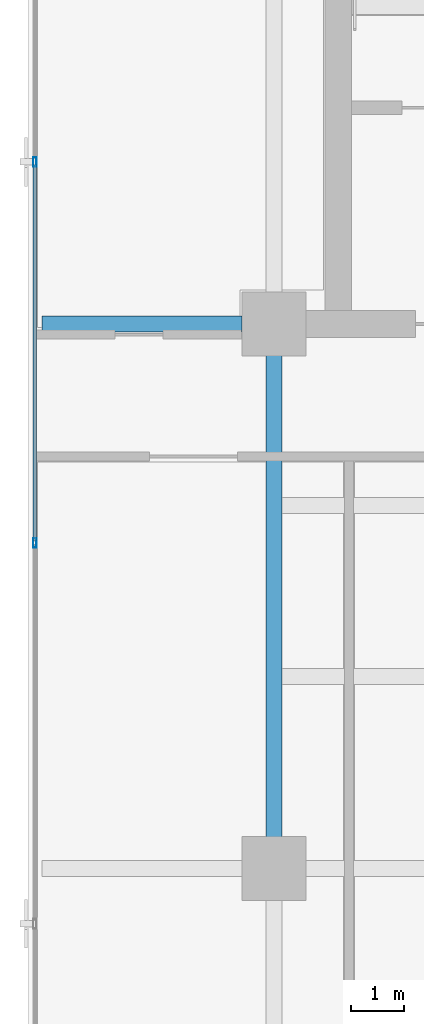
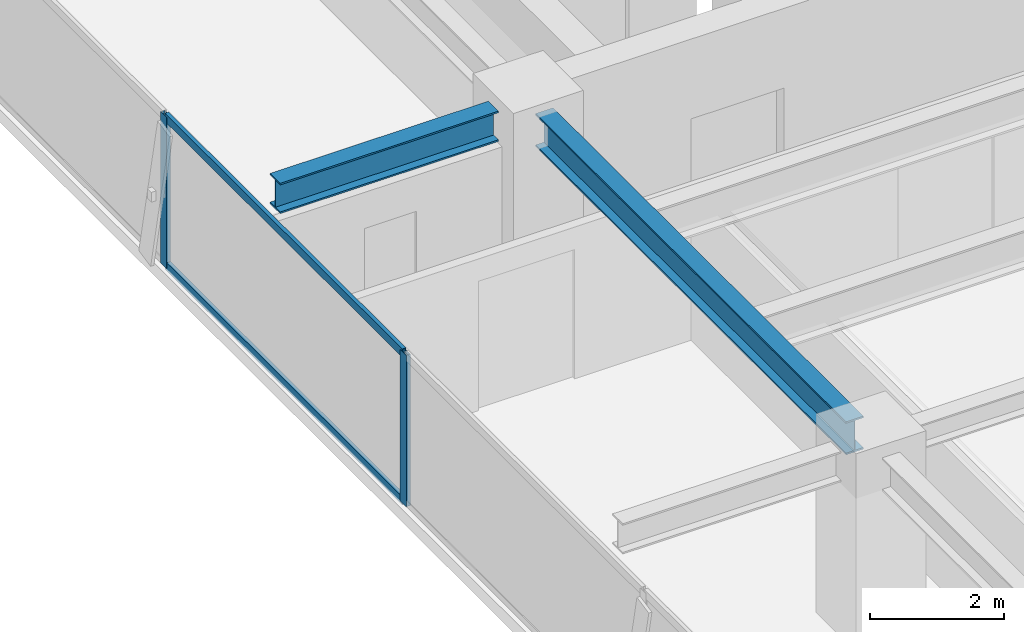
# One storey, part 6 of 22: 4 members, 2 beams, 1 element without a shape of its own.
"""IFC4 building model written with IfcOpenShell, lengths in metres."""

from ifc_helpers import new_model, si_unit, direction, frame, origin, origin_2d, place, context, subcontext, project, spatial, hollow_rectangle, i_section, extrude, source, transform, mapped, material, layer, layer_set, material_profile, profile_set, type_object, element, aggregate, save


model = new_model("IFC4")

# Units and contexts
model_context = context("Model", 3, precision=1e-05, world=origin(), true_north=direction((0.0, 1.0)))
body_context = subcontext(model_context, "Body", "Model", "MODEL_VIEW")
ifc_project = project(units=[si_unit("LENGTHUNIT", "METRE"), si_unit("AREAUNIT", "SQUARE_METRE"), si_unit("VOLUMEUNIT", "CUBIC_METRE"), si_unit("PLANEANGLEUNIT", "RADIAN"), si_unit("MASSUNIT", "GRAM", prefix="KILO")], contexts=[model_context])

# Site, building, storey
site_placement = place(None, origin())
site = spatial("IfcSite", under=ifc_project, at=site_placement, CompositionType="ELEMENT")
building_placement = place(site_placement, origin())
building = spatial("IfcBuilding", under=site, at=building_placement, Name="Sumidabori Civic Tower", CompositionType="ELEMENT")
storey_placement = place(building_placement, frame((0.0, 0.0, 286.39990234375)))
storey = spatial("IfcBuildingStorey", under=building, at=storey_placement, Name="L75", CompositionType="ELEMENT", Elevation=286.39990234375)

# Beams
ifc_material_1 = material(Name="Steel SN490", Category="steel")
ifc_material_profile_1 = material_profile(ifc_material_1, i_section(OverallWidth=0.300048828125, OverallDepth=0.60009765625, WebThickness=0.015380859375, FlangeThickness=0.030029296875, at=origin_2d()), Name="HE 600 B")
ifc_profile_set_1 = profile_set([ifc_material_profile_1], Name="Steel SN490")
beam_type_1 = type_object("IfcBeamType", Name="BM-GIRD-600", PredefinedType="BEAM", material=ifc_profile_set_1)
shared_shape_1 = source(origin(), body_context, "Body", "SweptSolid", [
    extrude(i_section(OverallWidth=0.300048828125, OverallDepth=0.60009765625, WebThickness=0.015380859375, FlangeThickness=0.030029296875, at=origin_2d()), origin(), (0.0, 0.0, 1.0), 9.239990234375),
])
beam_1_placement = place(storey_placement, frame((-16.800048828125, 0.47998046875, 3.070068359375), z_axis=(0.0, 1.0, 0.0), x_axis=(-1.0, 0.0, 0.0)))
element("IfcBeam", 1, at=beam_1_placement, inside=storey, type_object=beam_type_1, Name="Primary Girder L75 GY-10", PredefinedType="BEAM", context=body_context, shape_type="MappedRepresentation", body=[
    mapped(shared_shape_1, transform((0.0, 0.0, 0.0), x_axis=(1.0, 0.0, 0.0), y_axis=(0.0, 1.0, 0.0), z_axis=(0.0, 0.0, 1.0), scale=1.0)),
])
ifc_material_profile_2 = material_profile(ifc_material_1, i_section(OverallWidth=0.300048828125, OverallDepth=0.550048828125, WebThickness=0.014892578125, FlangeThickness=0.029052734375, at=origin_2d()), Name="HE 550 B")
ifc_profile_set_2 = profile_set([ifc_material_profile_2], Name="Steel SN490")
beam_type_2 = type_object("IfcBeamType", Name="BM-Z4-EDGE", PredefinedType="SPANDREL", material=ifc_profile_set_2)
shared_shape_2 = source(origin(), body_context, "Body", "SweptSolid", [
    extrude(i_section(OverallWidth=0.300048828125, OverallDepth=0.550048828125, WebThickness=0.014892578125, FlangeThickness=0.029052734375, at=origin_2d()), origin(), (0.0, 0.0, 1.0), 3.75),
])
beam_2_placement = place(storey_placement, frame((-21.14990234375, 10.199951171875, 3.09521484375), z_axis=(1.0, 0.0, 0.0), x_axis=(0.0, 1.0, 0.0)))
element("IfcBeam", 2, at=beam_2_placement, inside=storey, type_object=beam_type_2, Name="Perimeter Overhang Beam L75 W-21", PredefinedType="SPANDREL", context=body_context, shape_type="MappedRepresentation", body=[
    mapped(shared_shape_2, transform((0.0, 0.0, 0.0), x_axis=(1.0, 0.0, 0.0), y_axis=(0.0, 1.0, 0.0), z_axis=(0.0, 0.0, 1.0), scale=1.0)),
])

# Curtain wall, members
ifc_material_2 = material(Name="Anodised Bronze Aluminium AW-6063-T6", Category="aluminium")
ifc_layer = layer(ifc_material_2, 0.179931640625, Name="Anodised Bronze Aluminium AW-6063-T6")
ifc_layer_set = layer_set([ifc_layer], Name="Anodised Bronze Aluminium AW-6063-T6")
curtain_wall_type = type_object("IfcCurtainWallType", Name="CW-SYS-6", PredefinedType="NOTDEFINED", material=ifc_layer_set)
curtain_wall_placement = place(storey_placement, origin())
curtain_wall = element("IfcCurtainWall", 3, at=curtain_wall_placement, inside=storey, type_object=curtain_wall_type, Name="Curtain Wall CW:L75:R10", PredefinedType="NOTDEFINED")
ifc_material_profile_3 = material_profile(ifc_material_2, hollow_rectangle(XDim=0.070068359375, YDim=0.179931640625, WallThickness=0.006103515625, at=origin_2d()), Name="ALU MULLION 180x70")
ifc_profile_set_3 = profile_set([ifc_material_profile_3], Name="Anodised Bronze Aluminium AW-6063-T6")
member_type_1 = type_object("IfcMemberType", Name="CW-MUL-180", PredefinedType="MULLION", material=ifc_profile_set_3)
shared_shape_3 = source(origin(), body_context, "Body", "SweptSolid", [
    extrude(hollow_rectangle(XDim=0.070068359375, YDim=0.179931640625, WallThickness=0.006103515625, at=origin_2d()), origin(), (0.0, 0.0, 1.0), 2.75),
])
member_1_placement = place(storey_placement, frame((-21.280029296875, 13.235107421875, 0.0), z_axis=(0.0, 0.0, 1.0), x_axis=(1.0, 0.0, 0.0)))
member_1 = element("IfcMember", 4, at=member_1_placement, type_object=member_type_1, Name="CW-6 mullion 2", PredefinedType="MULLION", context=body_context, shape_type="MappedRepresentation", body=[
    mapped(shared_shape_3, transform((0.0, 0.0, 0.0), x_axis=(1.0, 0.0, 0.0), y_axis=(0.0, 1.0, 0.0), z_axis=(0.0, 0.0, 1.0), scale=1.0)),
])
member_2_placement = place(storey_placement, frame((-21.280029296875, 6.10009765625, 0.0), z_axis=(0.0, 0.0, 1.0), x_axis=(1.0, 0.0, 0.0)))
member_2 = element("IfcMember", 5, at=member_2_placement, type_object=member_type_1, Name="CW-6 mullion 3", PredefinedType="MULLION", context=body_context, shape_type="MappedRepresentation", body=[
    mapped(shared_shape_3, transform((0.0, 0.0, 0.0), x_axis=(1.0, 0.0, 0.0), y_axis=(0.0, 1.0, 0.0), z_axis=(0.0, 0.0, 1.0), scale=1.0)),
])
ifc_material_profile_4 = material_profile(ifc_material_2, hollow_rectangle(XDim=0.06494140625, YDim=0.14990234375, WallThickness=0.0048828125, at=origin_2d()), Name="ALU TRANSOM 150x65")
ifc_profile_set_4 = profile_set([ifc_material_profile_4], Name="Anodised Bronze Aluminium AW-6063-T6")
member_type_2 = type_object("IfcMemberType", Name="CW-TRN-150", PredefinedType="USERDEFINED", material=ifc_profile_set_4)
shared_shape_4 = source(origin(), body_context, "Body", "SweptSolid", [
    extrude(hollow_rectangle(XDim=0.06494140625, YDim=0.14990234375, WallThickness=0.0048828125, at=origin_2d()), origin(), (0.0, 0.0, 1.0), 7.06494140625),
])
member_3_placement = place(storey_placement, frame((-21.280029296875, 13.199951171875, 0.03271484375), z_axis=(0.0, -1.0, 0.0), x_axis=(1.0, 0.0, 0.0)))
member_3 = element("IfcMember", 6, at=member_3_placement, type_object=member_type_2, Name="CW-6 transom 2.1", ObjectType="TRANSOM", PredefinedType="USERDEFINED", context=body_context, shape_type="MappedRepresentation", body=[
    mapped(shared_shape_4, transform((0.0, 0.0, 0.0), x_axis=(1.0, 0.0, 0.0), y_axis=(0.0, 1.0, 0.0), z_axis=(0.0, 0.0, 1.0), scale=1.0)),
])
member_4_placement = place(storey_placement, frame((-21.280029296875, 13.199951171875, 2.717529296875), z_axis=(0.0, -1.0, 0.0), x_axis=(1.0, 0.0, 0.0)))
member_4 = element("IfcMember", 7, at=member_4_placement, type_object=member_type_2, Name="CW-6 transom 2.2", ObjectType="TRANSOM", PredefinedType="USERDEFINED", context=body_context, shape_type="MappedRepresentation", body=[
    mapped(shared_shape_4, transform((0.0, 0.0, 0.0), x_axis=(1.0, 0.0, 0.0), y_axis=(0.0, 1.0, 0.0), z_axis=(0.0, 0.0, 1.0), scale=1.0)),
])
aggregate(curtain_wall, [member_1, member_2, member_3, member_4])

save(model, "model.ifc")
